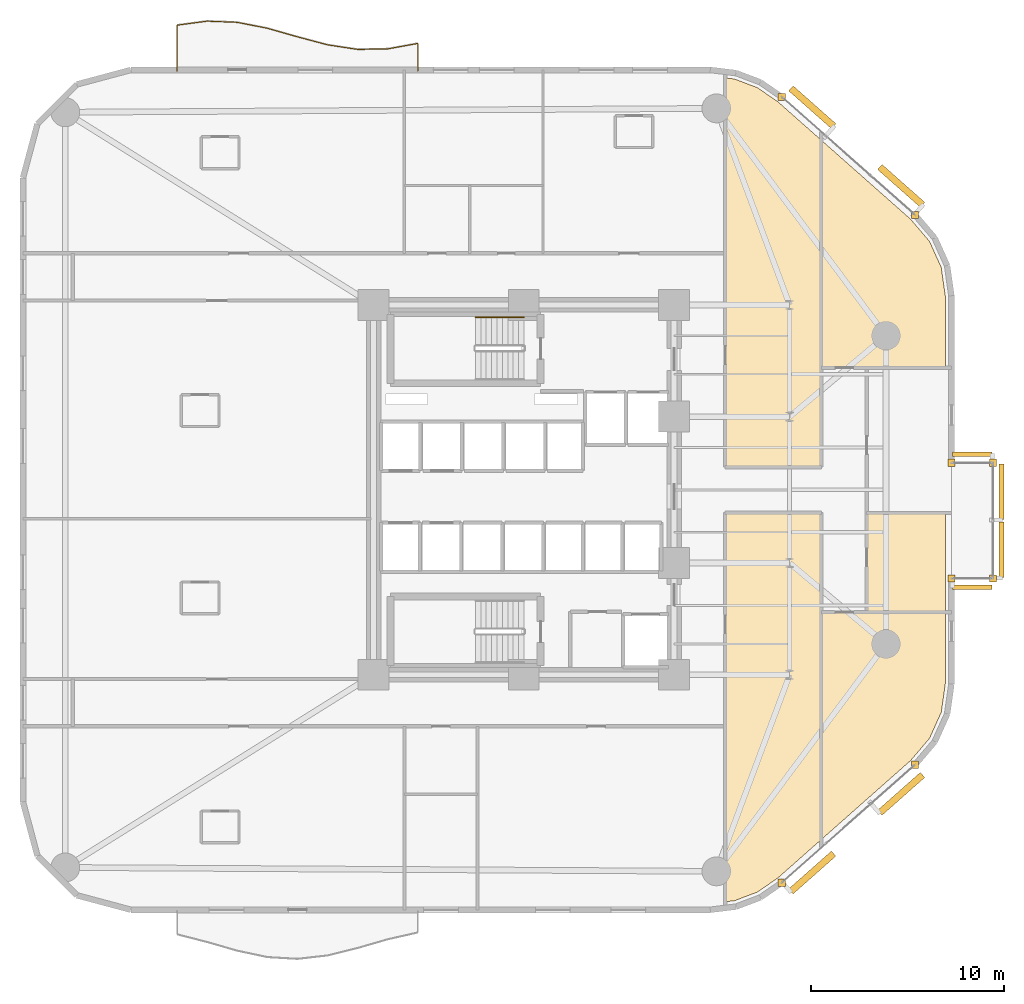
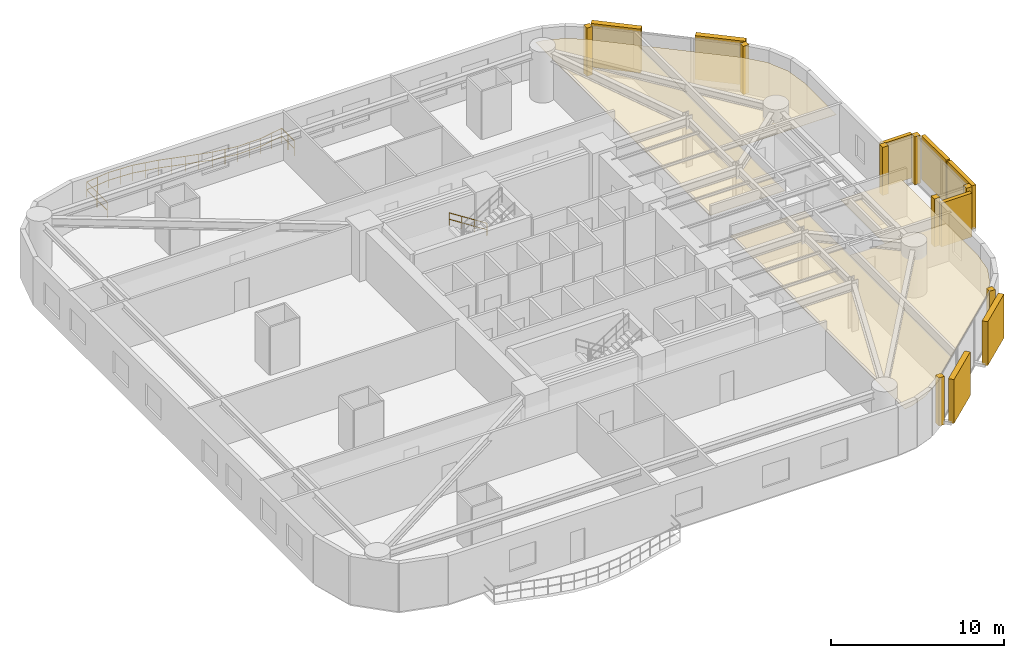
# One storey, part 16 of 16: 13 coverings, 8 shading devices, 2 railings.
"""IFC4 building model written with IfcOpenShell, lengths in metres."""

from ifc_helpers import new_model, si_unit, direction, frame, origin, origin_2d, place, context, subcontext, project, spatial, polyline, rectangle, circle, outline, extrude, material, layer, layer_set, type_object, element, save


model = new_model("IFC4")

# Units and contexts
model_context = context("Model", 3, precision=1e-05, world=origin(), true_north=direction((0.0, 1.0)))
body_context = subcontext(model_context, "Body", "Model", "MODEL_VIEW")
ifc_project = project(units=[si_unit("LENGTHUNIT", "METRE"), si_unit("AREAUNIT", "SQUARE_METRE"), si_unit("VOLUMEUNIT", "CUBIC_METRE"), si_unit("PLANEANGLEUNIT", "RADIAN"), si_unit("MASSUNIT", "GRAM", prefix="KILO")], contexts=[model_context])

# Site, building, storey
site_placement = place(None, origin())
site = spatial("IfcSite", under=ifc_project, at=site_placement, CompositionType="ELEMENT")
building_placement = place(site_placement, origin())
building = spatial("IfcBuilding", under=site, at=building_placement, Name="An Khanh Terracotta Commons", CompositionType="ELEMENT")
storey_placement = place(building_placement, frame((0.0, 0.0, 57.60009765625)))
storey = spatial("IfcBuildingStorey", under=building, at=storey_placement, Name="L15", CompositionType="ELEMENT", Elevation=57.60009765625)

# Coverings
ifc_material_1 = material(Name="Perforated Mineral-Fibre Acoustic Tile")
ifc_layer_1 = layer(ifc_material_1, 0.02001953125, Name="Perforated Mineral-Fibre Acoustic Tile")
ifc_layer_set_1 = layer_set([ifc_layer_1], Name="Perforated Mineral-Fibre Acoustic Tile")
covering_type_1 = type_object("IfcCoveringType", Name="CEIL-ACOUSTIC-18", PredefinedType="CEILING", material=ifc_layer_set_1)
covering_1_placement = place(storey_placement, frame((0.0, 0.0, 2.64990234375)))
element("IfcCovering", 1, at=covering_1_placement, inside=storey, type_object=covering_type_1, Name="L15 Academic Seminar Room Ceiling", PredefinedType="CEILING", context=body_context, shape_type="SweptSolid", body=[
    extrude(outline(polyline([(40.340087890625, 45.324951171875), (41.529052734375, 44.875), (42.591064453125, 44.14208984375), (44.85009765625, 42.14404296875), (44.85009765625, 30.35009765625), (44.85009765625, 25.179931640625), (39.85009765625, 25.179931640625), (39.85009765625, 33.820068359375), (39.85009765625, 36.280029296875), (39.85009765625, 45.384033203125), (40.340087890625, 45.324951171875)])), origin(), (0.0, 0.0, 1.0), 0.02001953125),
])
covering_2_placement = place(storey_placement, frame((0.0, 0.0, 2.64990234375)))
element("IfcCovering", 2, at=covering_2_placement, inside=storey, type_object=covering_type_1, Name="L15 Academic Seminar Room Ceiling", PredefinedType="CEILING", context=body_context, shape_type="SweptSolid", body=[
    extrude(outline(polyline([(42.591064453125, 3.85791015625), (41.529052734375, 3.125), (40.340087890625, 2.675048828125), (39.85009765625, 2.615966796875), (39.85009765625, 11.719970703125), (39.85009765625, 14.179931640625), (39.85009765625, 22.820068359375), (44.85009765625, 22.820068359375), (44.85009765625, 17.64990234375), (44.85009765625, 5.85595703125), (42.591064453125, 3.85791015625)])), origin(), (0.0, 0.0, 1.0), 0.02001953125),
])
covering_3_placement = place(storey_placement, frame((0.0, 0.0, 2.64990234375)))
element("IfcCovering", 3, at=covering_3_placement, inside=storey, type_object=covering_type_1, Name="L15 Academic Seminar Room Ceiling", PredefinedType="CEILING", context=body_context, shape_type="SweptSolid", body=[
    extrude(outline(polyline([(49.48095703125, 38.047119140625), (50.458984375, 36.89892578125), (51.069091796875, 35.547119140625), (51.280029296875, 34.053955078125), (51.280029296875, 30.35009765625), (47.199951171875, 30.35009765625), (44.85009765625, 30.35009765625), (44.85009765625, 42.14404296875), (49.48095703125, 38.047119140625)])), origin(), (0.0, 0.0, 1.0), 0.02001953125),
])
covering_4_placement = place(storey_placement, frame((0.0, 0.0, 2.64990234375)))
element("IfcCovering", 4, at=covering_4_placement, inside=storey, type_object=covering_type_1, Name="L15 Academic Seminar Room Ceiling", PredefinedType="CEILING", context=body_context, shape_type="SweptSolid", body=[
    extrude(outline(polyline([(51.280029296875, 13.946044921875), (51.069091796875, 12.452880859375), (50.458984375, 11.10107421875), (49.48095703125, 9.952880859375), (44.85009765625, 5.85595703125), (44.85009765625, 17.64990234375), (47.199951171875, 17.64990234375), (51.280029296875, 17.64990234375), (51.280029296875, 13.946044921875)])), origin(), (0.0, 0.0, 1.0), 0.02001953125),
])
covering_5_placement = place(storey_placement, frame((0.0, 0.0, 2.64990234375)))
element("IfcCovering", 5, at=covering_5_placement, inside=storey, type_object=covering_type_1, Name="L15 Riverfront Study Lounge Ceiling", PredefinedType="CEILING", context=body_context, shape_type="SweptSolid", body=[
    extrude(outline(polyline([(51.280029296875, 17.64990234375), (47.199951171875, 17.64990234375), (47.199951171875, 22.800048828125), (51.280029296875, 22.800048828125), (51.280029296875, 17.64990234375)])), origin(), (0.0, 0.0, 1.0), 0.02001953125),
])
ifc_material_2 = material(Name="Fired Terracotta Rainscreen Cladding", Category="masonry")
ifc_layer_2 = layer(ifc_material_2, 0.080078125, Name="Fired Terracotta Rainscreen Cladding")
ifc_layer_set_2 = layer_set([ifc_layer_2], Name="Fired Terracotta Rainscreen Cladding")
covering_type_2 = type_object("IfcCoveringType", Name="COV-JAMB-TERRA", PredefinedType="CLADDING", material=ifc_layer_set_2)
for number, where, z_axis, x_axis, name in (
    (6, (42.7890625, 3.60595703125, 0.0), (0.0, 0.0, 1.0), (1.0, 0.0, 0.0), "L15 CW-02 Curtain-Wall Jamb Closure JA"),
    (7, (49.7099609375, 9.72802734375, 0.0), (0.0, 0.0, 1.0), (1.0, 0.0, 0.0), "L15 CW-02 Curtain-Wall Jamb Closure JB"),
    (8, (53.75, 19.39990234375, 0.0), (0.0, 0.0, 1.0), (1.0, 0.0, 0.0), "L15 CW-04 Curtain-Wall Jamb Closure JA"),
    (9, (53.75, 25.39990234375, 0.0), (0.0, 0.0, 1.0), (1.0, 0.0, 0.0), "L15 CW-04 Curtain-Wall Jamb Closure JB"),
    (10, (51.60009765625, 19.39990234375, 0.0), (0.0, 0.0, 1.0), (1.0, 0.0, 0.0), "L15 CW-04 Curtain-Wall Jamb Closure JA"),
    (11, (51.60009765625, 25.39990234375, 0.0), (0.0, 0.0, 1.0), (1.0, 0.0, 0.0), "L15 CW-04 Curtain-Wall Jamb Closure JB"),
    (12, (49.7099609375, 38.27197265625, 0.0), (0.0, 0.0, 1.0), (1.0, 0.0, 0.0), "L15 CW-02 Curtain-Wall Jamb Closure JA"),
    (13, (42.7890625, 44.39404296875, 0.0), (0.0, 0.0, 1.0), (1.0, 0.0, 0.0), "L15 CW-02 Curtain-Wall Jamb Closure JB"),
):
    element("IfcCovering", number, at=place(storey_placement, frame(where, z_axis=z_axis, x_axis=x_axis)), inside=storey, type_object=covering_type_2, Name=name, PredefinedType="CLADDING", context=body_context, shape_type="SweptSolid", body=[
        extrude(rectangle(XDim=0.3798828125, YDim=0.3798828125, at=origin_2d()), origin(), (0.0, 0.0, 1.0), 3.39990234375),
    ])

# Railings
ifc_material_3 = material(Name="Brushed Stainless Steel 316", Category="steel")
railing_type_1 = type_object("IfcRailingType", Name="RAIL-BALUSTRADE-1100", PredefinedType="BALUSTRADE", material=ifc_material_3)
railing_1_placement = place(storey_placement, frame((23.89990234375, 45.739990234375, 0.0)))
element("IfcRailing", 14, at=railing_1_placement, inside=storey, type_object=railing_type_1, Name="L15 N Wave Balcony Guard Balustrade", PredefinedType="BALUSTRADE", context=body_context, shape_type="SweptSolid", body=[
    extrude(circle(Radius=0.02392578125, at=origin_2d()), frame((0.0, 0.0, 1.076171875), z_axis=(0.0, 1.0, 0.0), x_axis=(-1.0, 0.0, 0.0)), (0.0, 0.0, 1.0), 1.43310546875),
    extrude(circle(Radius=0.02392578125, at=origin_2d()), frame((0.0, 0.0, 0.52587890625), z_axis=(0.0, 1.0, 0.0), x_axis=(-1.0, 0.0, 0.0)), (0.0, 0.0, 1.0), 1.43310546875),
    extrude(circle(Radius=0.02392578125, at=origin_2d()), frame((0.0, 1.43310546875, 1.076171875), z_axis=(-0.983977933871, -0.1782902848, 0.0), x_axis=(0.1782902848, -0.983977933871, 0.0)), (0.0, 0.0, 1.0), 1.58837890625),
    extrude(circle(Radius=0.02392578125, at=origin_2d()), frame((0.0, 1.43310546875, 0.52587890625), z_axis=(-0.983977933871, -0.1782902848, 0.0), x_axis=(0.1782902848, -0.983977933871, 0.0)), (0.0, 0.0, 1.0), 1.58837890625),
    extrude(circle(Radius=0.02392578125, at=origin_2d()), frame((-1.56298828125, 1.14990234375, 1.076171875), z_axis=(-0.999841296012, -0.017815240348, 0.0), x_axis=(0.017815240348, -0.999841296012, 0.0)), (0.0, 0.0, 1.0), 1.562255859375),
    extrude(circle(Radius=0.02392578125, at=origin_2d()), frame((-1.56298828125, 1.14990234375, 0.52587890625), z_axis=(-0.999841296012, -0.017815240348, 0.0), x_axis=(0.017815240348, -0.999841296012, 0.0)), (0.0, 0.0, 1.0), 1.562255859375),
    extrude(circle(Radius=0.02392578125, at=origin_2d()), frame((-3.125, 1.1220703125, 1.076171875), z_axis=(-0.988600856151, 0.150560111644, 0.0), x_axis=(-0.150560111644, -0.988600856151, 0.0)), (0.0, 0.0, 1.0), 1.5810546875),
    extrude(circle(Radius=0.02392578125, at=origin_2d()), frame((-3.125, 1.1220703125, 0.52587890625), z_axis=(-0.988600856151, 0.150560111644, 0.0), x_axis=(-0.150560111644, -0.988600856151, 0.0)), (0.0, 0.0, 1.0), 1.5810546875),
    extrude(circle(Radius=0.02392578125, at=origin_2d()), frame((-4.68798828125, 1.360107421875, 1.076171875), z_axis=(-0.966315109969, 0.257361823599, 0.0), x_axis=(-0.257361823599, -0.966315109969, 0.0)), (0.0, 0.0, 1.0), 1.616455078125),
    extrude(circle(Radius=0.02392578125, at=origin_2d()), frame((-4.68798828125, 1.360107421875, 0.52587890625), z_axis=(-0.966315109969, 0.257361823599, 0.0), x_axis=(-0.257361823599, -0.966315109969, 0.0)), (0.0, 0.0, 1.0), 1.616455078125),
    extrude(circle(Radius=0.02392578125, at=origin_2d()), frame((-6.25, 1.776123046875, 1.076171875), z_axis=(-0.961964976531, 0.273172809643, 0.0), x_axis=(-0.273172809643, -0.961964976531, 0.0)), (0.0, 0.0, 1.0), 1.624755859375),
    extrude(circle(Radius=0.02392578125, at=origin_2d()), frame((-6.25, 1.776123046875, 0.52587890625), z_axis=(-0.961964976531, 0.273172809643, 0.0), x_axis=(-0.273172809643, -0.961964976531, 0.0)), (0.0, 0.0, 1.0), 1.624755859375),
    extrude(circle(Radius=0.02392578125, at=origin_2d()), frame((-7.81298828125, 2.219970703125, 1.076171875), z_axis=(-0.981096253016, 0.193520392514, 0.0), x_axis=(-0.193520392514, -0.981096253016, 0.0)), (0.0, 0.0, 1.0), 1.592041015625),
    extrude(circle(Radius=0.02392578125, at=origin_2d()), frame((-7.81298828125, 2.219970703125, 0.52587890625), z_axis=(-0.981096253016, 0.193520392514, 0.0), x_axis=(-0.193520392514, -0.981096253016, 0.0)), (0.0, 0.0, 1.0), 1.592041015625),
    extrude(circle(Radius=0.02392578125, at=origin_2d()), frame((-9.375, 2.528076171875, 1.076171875), z_axis=(-0.999237456582, 0.039044914684, 0.0), x_axis=(-0.039044914684, -0.999237456582, 0.0)), (0.0, 0.0, 1.0), 1.563232421875),
    extrude(circle(Radius=0.02392578125, at=origin_2d()), frame((-9.375, 2.528076171875, 0.52587890625), z_axis=(-0.999237456582, 0.039044914684, 0.0), x_axis=(-0.039044914684, -0.999237456582, 0.0)), (0.0, 0.0, 1.0), 1.563232421875),
    extrude(circle(Radius=0.02392578125, at=origin_2d()), frame((-10.93701171875, 2.589111328125, 1.076171875), z_axis=(-0.991179155362, -0.132528796781, 0.0), x_axis=(0.132528796781, -0.991179155362, 0.0)), (0.0, 0.0, 1.0), 1.576904296875),
    extrude(circle(Radius=0.02392578125, at=origin_2d()), frame((-10.93701171875, 2.589111328125, 0.52587890625), z_axis=(-0.991179155362, -0.132528796781, 0.0), x_axis=(0.132528796781, -0.991179155362, 0.0)), (0.0, 0.0, 1.0), 1.576904296875),
    extrude(circle(Radius=0.02392578125, at=origin_2d()), frame((-12.5, 2.380126953125, 1.076171875), z_axis=(0.0, -1.0, 0.0), x_axis=(1.0, 0.0, 0.0)), (0.0, 0.0, 1.0), 2.380126953125),
    extrude(circle(Radius=0.02392578125, at=origin_2d()), frame((-12.5, 2.380126953125, 0.52587890625), z_axis=(0.0, -1.0, 0.0), x_axis=(1.0, 0.0, 0.0)), (0.0, 0.0, 1.0), 2.380126953125),
    extrude(circle(Radius=0.02099609375, at=origin_2d()), origin(), (0.0, 0.0, 1.0), 1.052001953125),
    extrude(circle(Radius=0.02099609375, at=origin_2d()), frame((0.0, 0.716552734375, 0.0)), (0.0, 0.0, 1.0), 1.052001953125),
    extrude(circle(Radius=0.02099609375, at=origin_2d()), frame((0.0, 1.43310546875, 0.0)), (0.0, 0.0, 1.0), 1.052001953125),
    extrude(circle(Radius=0.02099609375, at=origin_2d()), frame((-0.781494140625, 1.29150390625, 0.0)), (0.0, 0.0, 1.0), 1.052001953125),
    extrude(circle(Radius=0.02099609375, at=origin_2d()), frame((-1.56298828125, 1.14990234375, 0.0)), (0.0, 0.0, 1.0), 1.052001953125),
    extrude(circle(Radius=0.02099609375, at=origin_2d()), frame((-2.343994140625, 1.135986328125, 0.0)), (0.0, 0.0, 1.0), 1.052001953125),
    extrude(circle(Radius=0.02099609375, at=origin_2d()), frame((-3.125, 1.1220703125, 0.0)), (0.0, 0.0, 1.0), 1.052001953125),
    extrude(circle(Radius=0.02099609375, at=origin_2d()), frame((-3.906494140625, 1.2412109375, 0.0)), (0.0, 0.0, 1.0), 1.052001953125),
    extrude(circle(Radius=0.02099609375, at=origin_2d()), frame((-4.68798828125, 1.360107421875, 0.0)), (0.0, 0.0, 1.0), 1.052001953125),
    extrude(circle(Radius=0.02099609375, at=origin_2d()), frame((-5.468994140625, 1.568115234375, 0.0)), (0.0, 0.0, 1.0), 1.052001953125),
    extrude(circle(Radius=0.02099609375, at=origin_2d()), frame((-6.25, 1.776123046875, 0.0)), (0.0, 0.0, 1.0), 1.052001953125),
    extrude(circle(Radius=0.02099609375, at=origin_2d()), frame((-7.031494140625, 1.998046875, 0.0)), (0.0, 0.0, 1.0), 1.052001953125),
    extrude(circle(Radius=0.02099609375, at=origin_2d()), frame((-7.81298828125, 2.219970703125, 0.0)), (0.0, 0.0, 1.0), 1.052001953125),
    extrude(circle(Radius=0.02099609375, at=origin_2d()), frame((-8.593994140625, 2.3740234375, 0.0)), (0.0, 0.0, 1.0), 1.052001953125),
    extrude(circle(Radius=0.02099609375, at=origin_2d()), frame((-9.375, 2.528076171875, 0.0)), (0.0, 0.0, 1.0), 1.052001953125),
    extrude(circle(Radius=0.02099609375, at=origin_2d()), frame((-10.156005859375, 2.55859375, 0.0)), (0.0, 0.0, 1.0), 1.052001953125),
    extrude(circle(Radius=0.02099609375, at=origin_2d()), frame((-10.93701171875, 2.589111328125, 0.0)), (0.0, 0.0, 1.0), 1.052001953125),
    extrude(circle(Radius=0.02099609375, at=origin_2d()), frame((-11.718505859375, 2.484619140625, 0.0)), (0.0, 0.0, 1.0), 1.052001953125),
    extrude(circle(Radius=0.02099609375, at=origin_2d()), frame((-12.5, 2.380126953125, 0.0)), (0.0, 0.0, 1.0), 1.052001953125),
    extrude(circle(Radius=0.02099609375, at=origin_2d()), frame((-12.5, 1.18994140625, 0.0)), (0.0, 0.0, 1.0), 1.052001953125),
    extrude(circle(Radius=0.02099609375, at=origin_2d()), frame((-12.5, 0.0, 0.0)), (0.0, 0.0, 1.0), 1.052001953125),
])
railing_type_2 = type_object("IfcRailingType", Name="RAIL-HANDRAIL-900", PredefinedType="HANDRAIL", material=ifc_material_3)
railing_2_placement = place(storey_placement, frame((29.409912109375, 32.949951171875, 0.179931640625)))
element("IfcRailing", 15, at=railing_2_placement, inside=storey, type_object=railing_type_2, Name="L15 ST-01 stair handrail 1", PredefinedType="HANDRAIL", context=body_context, shape_type="SweptSolid", body=[
    extrude(circle(Radius=0.02392578125, at=origin_2d()), frame((0.0, 0.0, 0.8759765625), z_axis=(-0.841199657755, 0.0, 0.540724639528), x_axis=(0.0, -1.0, 0.0)), (0.0, 0.0, 1.0), 2.995849609375),
    extrude(circle(Radius=0.02392578125, at=origin_2d()), frame((0.0, 0.0, 0.42578125), z_axis=(-0.841199657755, 0.0, 0.540724639528), x_axis=(0.0, -1.0, 0.0)), (0.0, 0.0, 1.0), 2.995849609375),
    extrude(circle(Radius=0.02099609375, at=origin_2d()), origin(), (0.0, 0.0, 1.0), 0.851806640625),
    extrude(circle(Radius=0.02099609375, at=origin_2d()), frame((-0.840087890625, 0.0, 0.5400390625)), (0.0, 0.0, 1.0), 0.851806640625),
    extrude(circle(Radius=0.02099609375, at=origin_2d()), frame((-1.679931640625, 0.0, 1.079833984375)), (0.0, 0.0, 1.0), 0.851806640625),
    extrude(circle(Radius=0.02099609375, at=origin_2d()), frame((-2.52001953125, 0.0, 1.619873046875)), (0.0, 0.0, 1.0), 0.851806640625),
])

# Shading devices
ifc_material_4 = material(Name="Warm Hardwood Timber-Finish Aluminium", Category="wood")
shading_device_type_1 = type_object("IfcShadingDeviceType", Name="Shifted Box Timber-Toned Louvre Screen", PredefinedType="USERDEFINED", material=ifc_material_4)
for number, where, z_axis, x_axis, name in (
    (16, (54.199951171875, 20.89990234375, 0.14990234375), (0.0, 0.0, 1.0), (0.0, 1.0, 0.0), "L15 Louvre Screen 1"),
    (17, (54.199951171875, 23.89990234375, 0.14990234375), (0.0, 0.0, 1.0), (0.0, 1.0, 0.0), "L15 Louvre Screen 2"),
):
    element("IfcShadingDevice", number, at=place(storey_placement, frame(where, z_axis=z_axis, x_axis=x_axis)), inside=storey, type_object=shading_device_type_1, Name=name, ObjectType="LOUVRE", PredefinedType="USERDEFINED", context=body_context, shape_type="SweptSolid", body=[
        extrude(rectangle(XDim=2.8798828125, YDim=0.25, at=origin_2d()), origin(), (0.0, 0.0, 1.0), 3.10009765625),
    ])
for number, where, z_axis, x_axis, name in (
    (18, (52.675048828125, 18.949951171875, 0.14990234375), (0.0, 0.0, 1.0), (1.0, 0.0, 0.0), "L15 Louvre Screen 1"),
    (19, (52.675048828125, 25.85009765625, 0.14990234375), (0.0, 0.0, 1.0), (-1.0, 0.0, 0.0), "L15 Louvre Screen 1"),
):
    element("IfcShadingDevice", number, at=place(storey_placement, frame(where, z_axis=z_axis, x_axis=x_axis)), inside=storey, type_object=shading_device_type_1, Name=name, ObjectType="LOUVRE", PredefinedType="USERDEFINED", context=body_context, shape_type="SweptSolid", body=[
        extrude(rectangle(XDim=2.030029296875, YDim=0.25, at=origin_2d()), origin(), (0.0, 0.0, 1.0), 3.10009765625),
    ])
ifc_material_5 = material(Name="Extruded Fired Terracotta", Category="masonry")
shading_device_type_2 = type_object("IfcShadingDeviceType", Name="Terracotta Baguette Screen Assembly", PredefinedType="USERDEFINED", material=ifc_material_5)
for number, where, z_axis, x_axis, name in (
    (20, (44.373046875, 4.138916015625, 0.14990234375), (0.0, 0.0, 1.0), (0.749019284633, 0.662548195415, 0.0), "L15 Terracotta Baguette Screen 1"),
    (21, (48.987060546875, 8.220947265625, 0.14990234375), (0.0, 0.0, 1.0), (0.749019284633, 0.662548195415, 0.0), "L15 Terracotta Baguette Screen 3"),
    (22, (48.987060546875, 39.779052734375, 0.14990234375), (0.0, 0.0, 1.0), (-0.749019284633, 0.662548195415, 0.0), "L15 Terracotta Baguette Screen 1"),
    (23, (44.373046875, 43.861083984375, 0.14990234375), (0.0, 0.0, 1.0), (-0.749019284633, 0.662548195415, 0.0), "L15 Terracotta Baguette Screen 3"),
):
    element("IfcShadingDevice", number, at=place(storey_placement, frame(where, z_axis=z_axis, x_axis=x_axis)), inside=storey, type_object=shading_device_type_2, Name=name, ObjectType="BAGUETTE", PredefinedType="USERDEFINED", context=body_context, shape_type="SweptSolid", body=[
        extrude(rectangle(XDim=2.9599609375, YDim=0.35009765625, at=origin_2d()), origin(), (0.0, 0.0, 1.0), 3.10009765625),
    ])

save(model, "model.ifc")
